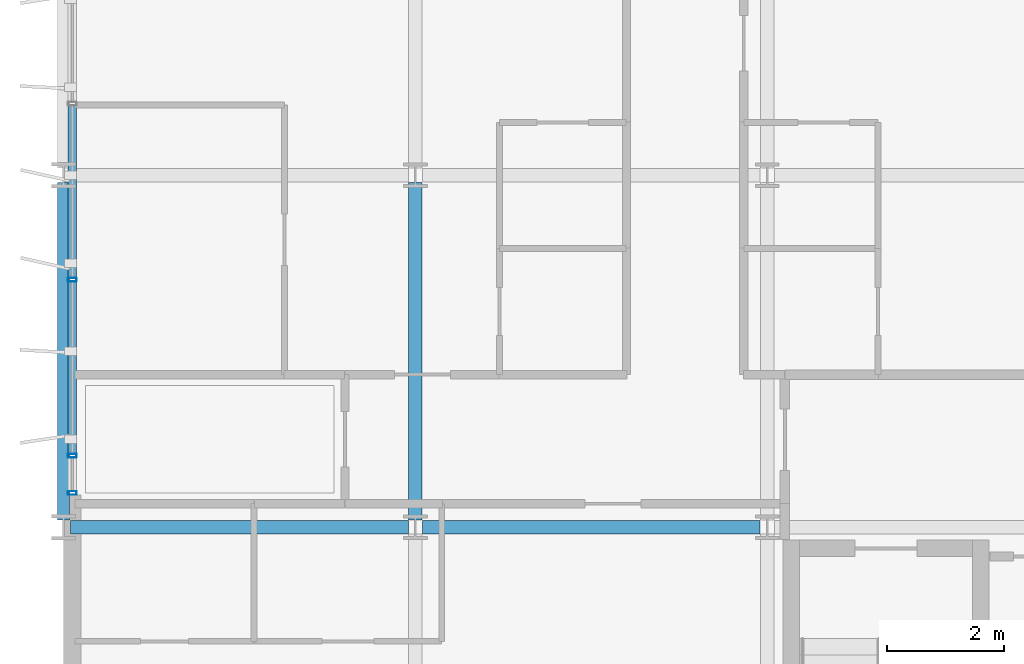
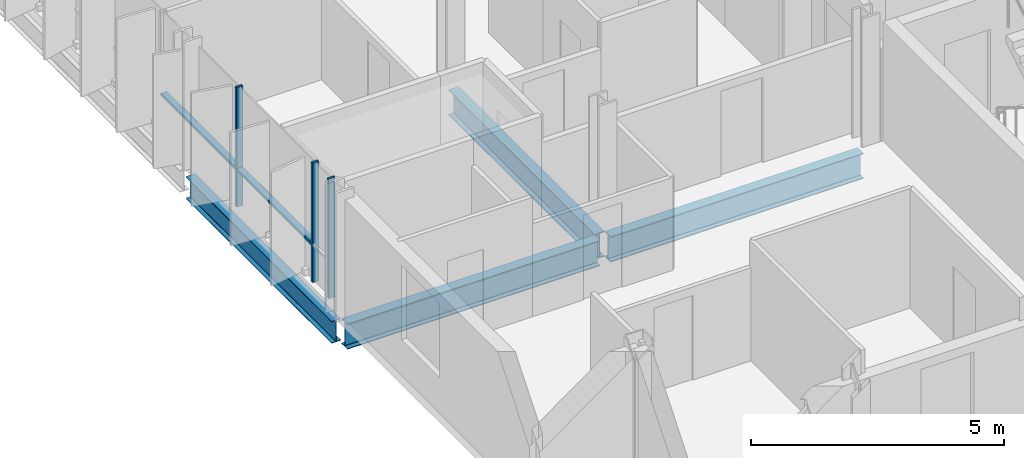
# One storey, part 2 of 39: 5 members, 4 beams, 1 element without a shape of its own.
"""IFC4 building model written with IfcOpenShell, lengths in metres."""

import ifcopenshell
import ifcopenshell.guid

model = None  # the IFC model being written
_history = None  # IfcOwnerHistory: only IFC2X3 demands one
_inside = {}  # id of a spatial element -> (the spatial element, [elements in it])
_under = {}  # id of a project, library or spatial element -> (it, [spatial elements below it])
_declared = {}  # id of a project -> (the project, [libraries it declares])
_typed = {}  # id of a type object -> (the type object, [elements of that type])
_made_of = {}  # id of a material, layer set ... -> (it, [elements and type objects made of it])


def new_model(schema):
    """Start an empty IFC model of exactly this schema.

    Asked for "IFC4X3", IfcOpenShell would pick the latest addendum, in which some entities
    have other attributes; the version numbers below select the first issue.
    IFC2X3 requires an IfcOwnerHistory on every rooted entity: one is made here for all.
    """
    global model, _history
    if schema == "IFC4X3":
        model = ifcopenshell.file(schema_version=(4, 3, 0, 0))
    else:
        model = ifcopenshell.file(schema=schema)
    _inside.clear()
    _under.clear()
    _declared.clear()
    _typed.clear()
    _made_of.clear()
    _history = None
    if model.schema == "IFC2X3":
        org = make("IfcOrganization", Name="unknown")
        user = make(
            "IfcPersonAndOrganization",
            ThePerson=make("IfcPerson", FamilyName="unknown"),
            TheOrganization=org,
        )
        app = make(
            "IfcApplication",
            ApplicationDeveloper=org,
            Version="unknown",
            ApplicationFullName="unknown",
            ApplicationIdentifier="unknown",
        )
        _history = make(
            "IfcOwnerHistory",
            OwningUser=user,
            OwningApplication=app,
            ChangeAction="ADDED",
            CreationDate=0,
        )
    return model


def make(cls, **values):
    """One entity of the class cls with the attributes given. An attribute that is None is left unset."""
    return model.create_entity(
        cls, **{name: value for name, value in values.items() if value is not None}
    )


def rooted(cls, **values):
    """An entity with a GlobalId (a new one), such as an element, a storey or a relation."""
    return make(cls, GlobalId=ifcopenshell.guid.new(), OwnerHistory=_history, **values)


def si_unit(unit_type, name, prefix=None):
    """IfcSIUnit, for example si_unit("LENGTHUNIT", "METRE", prefix="MILLI")."""
    return make("IfcSIUnit", UnitType=unit_type, Prefix=prefix, Name=name)


def assignment(units):
    """IfcUnitAssignment: the units of a project."""
    return None if units is None else make("IfcUnitAssignment", Units=units)


def point(xyz):
    """IfcCartesianPoint."""
    return None if xyz is None else make("IfcCartesianPoint", Coordinates=xyz)


def direction(xyz):
    """IfcDirection."""
    return None if xyz is None else make("IfcDirection", DirectionRatios=xyz)


def frame(location, z_axis=None, x_axis=None):
    """IfcAxis2Placement3D, a coordinate frame: its origin and axes. An axis left out is left unset."""
    return make(
        "IfcAxis2Placement3D",
        Location=point(location),
        Axis=direction(z_axis),
        RefDirection=direction(x_axis),
    )


def frame_2d(location, x_axis=None):
    """IfcAxis2Placement2D, a coordinate frame in the plane: its origin and x axis."""
    return make(
        "IfcAxis2Placement2D", Location=point(location), RefDirection=direction(x_axis)
    )


def origin():
    """The frame at (0, 0, 0) with its axes left unset."""
    return frame((0.0, 0.0, 0.0))


def origin_2d():
    """The frame at (0, 0) in the plane with its x axis left unset."""
    return frame_2d((0.0, 0.0))


def place(relative_to, where):
    """IfcLocalPlacement: puts the frame where relative to a parent placement (None: the world)."""
    return make(
        "IfcLocalPlacement", PlacementRelTo=relative_to, RelativePlacement=where
    )


def context(
    kind, dimensions, precision=None, world=None, true_north=None, identifier=None
):
    """IfcGeometricRepresentationContext, for example the 3D "Model" context."""
    return make(
        "IfcGeometricRepresentationContext",
        ContextIdentifier=identifier,
        ContextType=kind,
        CoordinateSpaceDimension=dimensions,
        Precision=precision,
        WorldCoordinateSystem=world,
        TrueNorth=true_north,
    )


def subcontext(parent, identifier, kind, view, scale=None):
    """IfcGeometricRepresentationSubContext, for example "Body" below "Model"."""
    return make(
        "IfcGeometricRepresentationSubContext",
        ContextIdentifier=identifier,
        ContextType=kind,
        ParentContext=parent,
        TargetScale=scale,
        TargetView=view,
    )


def project(units=None, contexts=None):
    """IfcProject with its units and contexts."""
    return rooted(
        "IfcProject",
        Name="project",
        RepresentationContexts=contexts,
        UnitsInContext=assignment(units),
    )


def spatial(cls, under=None, at=None, **own):
    """A site, building, storey or space (cls), placed at a placement, below another one or the project."""
    s = rooted(cls, ObjectPlacement=at, **own)
    if under is not None:
        _under.setdefault(under.id(), (under, []))[1].append(s)
    return s


def profile(cls, at=None, kind="AREA", **sizes):
    """A parametric profile (cls). Its sizes go by their IFC names, for example OverallWidth=200.0."""
    return make(cls, ProfileType=kind, Position=at, **sizes)


def hollow_rectangle(**sizes):
    """IfcRectangleHollowProfileDef."""
    return profile("IfcRectangleHollowProfileDef", **sizes)


def i_section(**sizes):
    """IfcIShapeProfileDef."""
    return profile("IfcIShapeProfileDef", **sizes)


def extrude(swept, where, along, depth):
    """IfcExtrudedAreaSolid: the profile swept, set in the frame where, extruded along a direction by depth."""
    return make(
        "IfcExtrudedAreaSolid",
        SweptArea=swept,
        Position=where,
        ExtrudedDirection=direction(along),
        Depth=depth,
    )


def shape(context_of_items, identifier, shape_type, items):
    """IfcShapeRepresentation: the items that make up one representation, for example the "Body"."""
    return make(
        "IfcShapeRepresentation",
        ContextOfItems=context_of_items,
        RepresentationIdentifier=identifier,
        RepresentationType=shape_type,
        Items=items,
    )


def material(Name=None, Category=None):
    """IfcMaterial."""
    return make("IfcMaterial", Name=Name, Category=Category)


def layer(
    of_material, thickness, ventilated=None, Name=None, Category=None, Priority=None
):
    """IfcMaterialLayer: one layer of a wall or slab, of a material (None: an air gap)."""
    return make(
        "IfcMaterialLayer",
        Material=of_material,
        LayerThickness=thickness,
        IsVentilated=ventilated,
        Name=Name,
        Category=Category,
        Priority=Priority,
    )


def layer_set(layers, Name=None):
    """IfcMaterialLayerSet."""
    return make("IfcMaterialLayerSet", MaterialLayers=layers, LayerSetName=Name)


def material_profile(
    of_material, cross_section, Name=None, Category=None, Priority=None
):
    """IfcMaterialProfile: a cross section and its material."""
    return make(
        "IfcMaterialProfile",
        Name=Name,
        Material=of_material,
        Profile=cross_section,
        Priority=Priority,
        Category=Category,
    )


def profile_set(profiles, Name=None, composite=None):
    """IfcMaterialProfileSet."""
    return make(
        "IfcMaterialProfileSet",
        Name=Name,
        MaterialProfiles=profiles,
        CompositeProfile=composite,
    )


def made_of(thing, what):
    """Note that an element or type object is made of a material, layer set ...; save() writes the relation."""
    if what is not None:
        _made_of.setdefault(what.id(), (what, []))[1].append(thing)
    return thing


def type_object(cls, material=None, **own):
    """A type object (cls), such as IfcWallType, which elements share."""
    return made_of(rooted(cls, **own), material)


def element(
    cls,
    number,
    at=None,
    inside=None,
    cuts=None,
    type_object=None,
    material=None,
    context=None,
    identifier="Body",
    shape_type=None,
    held_by="IfcProductDefinitionShape",
    body=None,
    shapes=None,
    **own,
):
    """One element of the class cls, such as IfcWall. Its Tag is "e" and its number.

    at: its placement. inside: the storey or other place that contains it. cuts: it is an
    opening in that element (IfcRelVoidsElement). A single representation is given by context,
    identifier, shape_type and body (its items); several are given by shapes. held_by: the class
    of the entity that holds the representations. save() writes the other relations.
    """
    e = rooted(cls, Tag="e%d" % number, ObjectPlacement=at, **own)
    if body is not None:
        shapes = [shape(context, identifier, shape_type, body)]
    if shapes is not None:
        e.Representation = make(held_by, Representations=shapes)
    if inside is not None:
        _inside.setdefault(inside.id(), (inside, []))[1].append(e)
    if cuts is not None:
        rooted(
            "IfcRelVoidsElement", RelatingBuildingElement=cuts, RelatedOpeningElement=e
        )
    if type_object is not None:
        _typed.setdefault(type_object.id(), (type_object, []))[1].append(e)
    return made_of(e, material)


def aggregate(whole, parts):
    """IfcRelAggregates: a whole, such as a stair, and the parts it consists of."""
    return rooted("IfcRelAggregates", RelatingObject=whole, RelatedObjects=parts)


def save(model, path):
    """Write the relations noted so far, then the file.

    IfcRelAggregates (storeys below a building ...), IfcRelContainedInSpatialStructure (elements
    in a storey), IfcRelDefinesByType, IfcRelAssociatesMaterial and IfcRelDeclares: one each for
    every whole, place, type object, material and project.
    """
    for whole, parts in _under.values():
        aggregate(whole, parts)
    for where, things in _inside.values():
        rooted(
            "IfcRelContainedInSpatialStructure",
            RelatedElements=things,
            RelatingStructure=where,
        )
    for kind, things in _typed.values():
        rooted("IfcRelDefinesByType", RelatedObjects=things, RelatingType=kind)
    for what, things in _made_of.values():
        rooted("IfcRelAssociatesMaterial", RelatedObjects=things, RelatingMaterial=what)
    for by, libraries in _declared.values():
        rooted("IfcRelDeclares", RelatingContext=by, RelatedDefinitions=libraries)
    model.write(path)


model = new_model("IFC4")

# Units and contexts
model_context = context("Model", 3, precision=1e-05, world=origin(), true_north=direction((0.0, 1.0)))
body_context = subcontext(model_context, "Body", "Model", "MODEL_VIEW")
ifc_project = project(units=[si_unit("LENGTHUNIT", "METRE"), si_unit("AREAUNIT", "SQUARE_METRE"), si_unit("VOLUMEUNIT", "CUBIC_METRE"), si_unit("PLANEANGLEUNIT", "RADIAN"), si_unit("MASSUNIT", "GRAM", prefix="KILO")], contexts=[model_context])

# Site, building, storey
site_placement = place(None, origin())
site = spatial("IfcSite", under=ifc_project, at=site_placement, CompositionType="ELEMENT")
building_placement = place(site_placement, origin())
building = spatial("IfcBuilding", under=site, at=building_placement, Name="Brevholm Reach", CompositionType="ELEMENT")
storey_placement = place(building_placement, frame((0.0, 0.0, 115.89990234375)))
storey = spatial("IfcBuildingStorey", under=building, at=storey_placement, Name="L34", CompositionType="ELEMENT", Elevation=115.89990234375)

# Beams
ifc_material_1 = material(Name="Structural Steel S355J2", Category="steel")
ifc_material_profile_1 = material_profile(ifc_material_1, i_section(OverallWidth=0.209228515625, OverallDepth=0.533203125, WebThickness=0.010009765625, FlangeThickness=0.015625, FilletRadius=0.0126953125, at=origin_2d()), Name="UKB 533x210x92")
ifc_profile_set_1 = profile_set([ifc_material_profile_1], Name="Structural Steel S355J2")
beam_type_1 = type_object("IfcBeamType", Name="BM-SP533", PredefinedType="SPANDREL", material=ifc_profile_set_1)
beam_placement = place(storey_placement, frame((0.0, 10.1201171875, -0.486572265625), z_axis=(0.0, 1.0, 0.0), x_axis=(-1.0, 0.0, 0.0)))
element("IfcBeam", 1, at=beam_placement, inside=storey, type_object=beam_type_1, Name="L34 SP-02 Framing Beam", PredefinedType="SPANDREL", context=body_context, shape_type="SweptSolid", body=[
    extrude(i_section(OverallWidth=0.209228515625, OverallDepth=0.533203125, WebThickness=0.010009765625, FlangeThickness=0.015625, FilletRadius=0.0126953125, at=origin_2d()), origin(), (0.0, 0.0, 1.0), 5.759765625),
])
ifc_material_2 = material(Name="Structural Steel S355J2", Category="steel")
ifc_material_profile_2 = material_profile(ifc_material_2, i_section(OverallWidth=0.22900390625, OverallDepth=0.6123046875, WebThickness=0.011962890625, FlangeThickness=0.01953125, FilletRadius=0.0126953125, at=origin_2d()), Name="UKB 610x229x125")
ifc_profile_set_2 = profile_set([ifc_material_profile_2], Name="Structural Steel S355J2")
beam_type_2 = type_object("IfcBeamType", Name="BM-SP610", PredefinedType="SPANDREL", material=ifc_profile_set_2)
for number, where, z_axis, x_axis, name in (
    (2, (0.1201171875, 10.0, -0.526123046875), (1.0, 0.0, 0.0), (0.0, 1.0, 0.0), "L34 SP-01 Framing Beam"),
    (3, (6.1201171875, 10.0, -0.526123046875), (1.0, 0.0, 0.0), (0.0, 1.0, 0.0), "L34 SP-01 Framing Beam"),
    (4, (6.0, 10.1201171875, -0.526123046875), (0.0, 1.0, 0.0), (-1.0, 0.0, 0.0), "L34 SP-01 Framing Beam"),
):
    element("IfcBeam", number, at=place(storey_placement, frame(where, z_axis=z_axis, x_axis=x_axis)), inside=storey, type_object=beam_type_2, Name=name, PredefinedType="SPANDREL", context=body_context, shape_type="SweptSolid", body=[
        extrude(i_section(OverallWidth=0.22900390625, OverallDepth=0.6123046875, WebThickness=0.011962890625, FlangeThickness=0.01953125, FilletRadius=0.0126953125, at=origin_2d()), origin(), (0.0, 0.0, 1.0), 5.759765625),
    ])

# Curtain wall, members
ifc_material_3 = material(Name="Dark Anodised Aluminium 6063-T6 and Solar-Control Glass", Category="aluminium")
ifc_layer = layer(ifc_material_3, 0.14990234375)
ifc_layer_set = layer_set([ifc_layer], Name="Dark Anodised Aluminium 6063-T6 and Solar-Control Glass")
curtain_wall_type = type_object("IfcCurtainWallType", Name="CW-01", PredefinedType="NOTDEFINED", material=ifc_layer_set)
curtain_wall_placement = place(storey_placement, origin())
curtain_wall = element("IfcCurtainWall", 5, at=curtain_wall_placement, inside=storey, type_object=curtain_wall_type, Name="L34 Curtain Wall CW-01", PredefinedType="NOTDEFINED")
ifc_material_4 = material(Name="Dark Anodised Aluminium 6063-T6", Category="aluminium")
ifc_material_profile_3 = material_profile(ifc_material_4, hollow_rectangle(XDim=0.06494140625, YDim=0.14990234375, WallThickness=0.0048828125, InnerFilletRadius=0.0048828125, OuterFilletRadius=0.010009765625, at=origin_2d()), Name="RHS 150x65x5")
ifc_profile_set_3 = profile_set([ifc_material_profile_3], Name="Dark Anodised Aluminium 6063-T6")
member_type_1 = type_object("IfcMemberType", Name="CWM-150", PredefinedType="MULLION", material=ifc_profile_set_3)
member_1_placement = place(storey_placement, frame((0.14990234375, 14.219970703125, 0.0), z_axis=(0.0, 0.0, 1.0), x_axis=(0.0, -1.0, 0.0)))
member_1 = element("IfcMember", 6, at=member_1_placement, type_object=member_type_1, Name="CM-150 Mullion 4", PredefinedType="MULLION", context=body_context, shape_type="SweptSolid", body=[
    extrude(hollow_rectangle(XDim=0.06494140625, YDim=0.14990234375, WallThickness=0.0048828125, InnerFilletRadius=0.0048828125, OuterFilletRadius=0.010009765625, at=origin_2d()), origin(), (0.0, 0.0, 1.0), 2.880126953125),
])
member_2_placement = place(storey_placement, frame((0.14990234375, 11.219970703125, 0.0), z_axis=(0.0, 0.0, 1.0), x_axis=(0.0, -1.0, 0.0)))
member_2 = element("IfcMember", 7, at=member_2_placement, type_object=member_type_1, Name="CM-150 Mullion 5", PredefinedType="MULLION", context=body_context, shape_type="SweptSolid", body=[
    extrude(hollow_rectangle(XDim=0.06494140625, YDim=0.14990234375, WallThickness=0.0048828125, InnerFilletRadius=0.0048828125, OuterFilletRadius=0.010009765625, at=origin_2d()), origin(), (0.0, 0.0, 1.0), 2.880126953125),
])
member_3_placement = place(storey_placement, frame((0.14990234375, 10.58251953125, 0.0), z_axis=(0.0, 0.0, 1.0), x_axis=(0.0, -1.0, 0.0)))
member_3 = element("IfcMember", 8, at=member_3_placement, type_object=member_type_1, Name="CM-150 Mullion 6", PredefinedType="MULLION", context=body_context, shape_type="SweptSolid", body=[
    extrude(hollow_rectangle(XDim=0.06494140625, YDim=0.14990234375, WallThickness=0.0048828125, InnerFilletRadius=0.0048828125, OuterFilletRadius=0.010009765625, at=origin_2d()), origin(), (0.0, 0.0, 1.0), 2.880126953125),
])
ifc_material_5 = material(Name="Dark Anodised Aluminium 6063-T6", Category="aluminium")
ifc_material_profile_4 = material_profile(ifc_material_5, hollow_rectangle(XDim=0.06494140625, YDim=0.14990234375, WallThickness=0.0048828125, InnerFilletRadius=0.0048828125, OuterFilletRadius=0.010009765625, at=origin_2d()), Name="RHS 150x65x5")
ifc_profile_set_4 = profile_set([ifc_material_profile_4], Name="Dark Anodised Aluminium 6063-T6")
member_type_2 = type_object("IfcMemberType", Name="CWT-150", PredefinedType="NOTDEFINED", material=ifc_profile_set_4)
member_4_placement = place(storey_placement, frame((0.14990234375, 17.1875, 0.900146484375), z_axis=(0.0, -1.0, 0.0), x_axis=(0.0, 0.0, 1.0)))
member_4 = element("IfcMember", 9, at=member_4_placement, type_object=member_type_2, Name="CT-150 Transom 3.1", ObjectType="TRANSOM", PredefinedType="USERDEFINED", context=body_context, shape_type="SweptSolid", body=[
    extrude(hollow_rectangle(XDim=0.06494140625, YDim=0.14990234375, WallThickness=0.0048828125, InnerFilletRadius=0.0048828125, OuterFilletRadius=0.010009765625, at=origin_2d()), origin(), (0.0, 0.0, 1.0), 2.93505859375),
])
member_5_placement = place(storey_placement, frame((0.14990234375, 14.1875, 0.900146484375), z_axis=(0.0, -1.0, 0.0), x_axis=(0.0, 0.0, 1.0)))
member_5 = element("IfcMember", 10, at=member_5_placement, type_object=member_type_2, Name="CT-150 Transom 4.1", ObjectType="TRANSOM", PredefinedType="USERDEFINED", context=body_context, shape_type="SweptSolid", body=[
    extrude(hollow_rectangle(XDim=0.06494140625, YDim=0.14990234375, WallThickness=0.0048828125, InnerFilletRadius=0.0048828125, OuterFilletRadius=0.010009765625, at=origin_2d()), origin(), (0.0, 0.0, 1.0), 2.93505859375),
])
aggregate(curtain_wall, [member_1, member_2, member_3, member_4, member_5])

save(model, "model.ifc")
